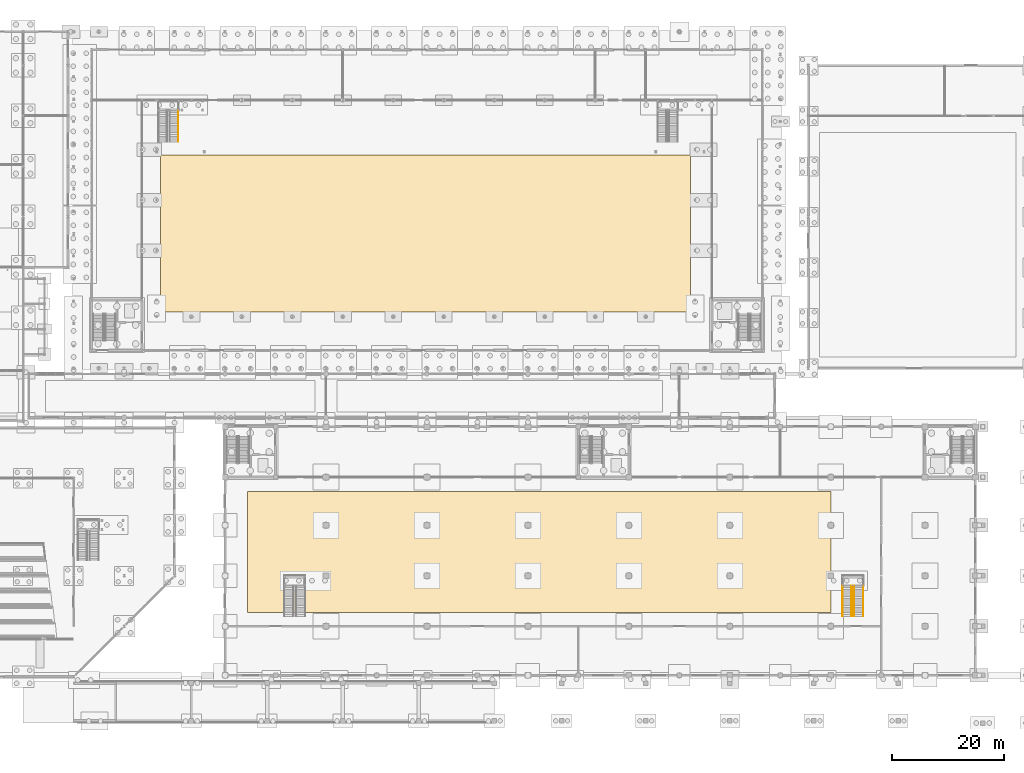
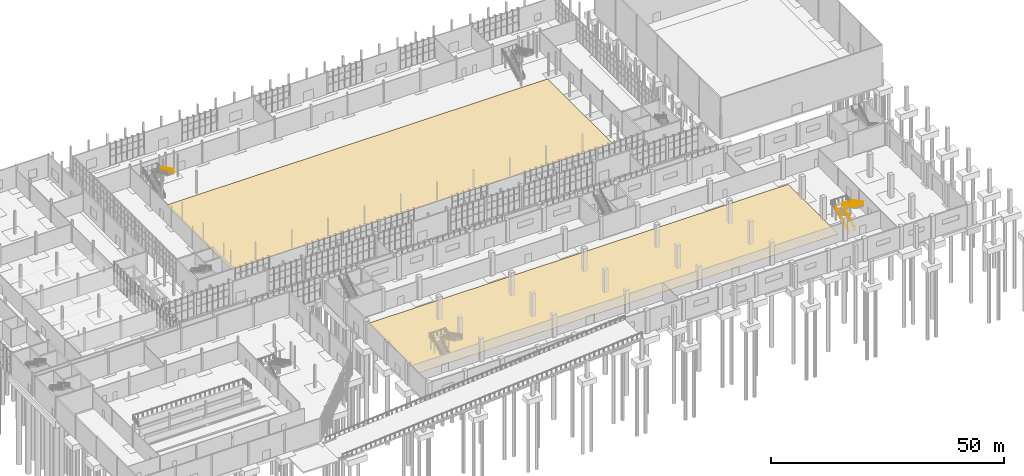
# One storey, part 125 of 131: 5 railings, 2 coverings.
"""IFC4 building model written with IfcOpenShell, lengths in metres."""

from ifc_helpers import new_model, si_unit, direction, frame, origin, origin_2d, place, context, subcontext, project, spatial, polyline, circle, outline, extrude, material, layer, layer_set, type_object, element, save


model = new_model("IFC4")

# Units and contexts
model_context = context("Model", 3, precision=1e-05, world=origin(), true_north=direction((0.0, 1.0)))
body_context = subcontext(model_context, "Body", "Model", "MODEL_VIEW")
ifc_project = project(units=[si_unit("LENGTHUNIT", "METRE"), si_unit("AREAUNIT", "SQUARE_METRE"), si_unit("VOLUMEUNIT", "CUBIC_METRE"), si_unit("PLANEANGLEUNIT", "RADIAN"), si_unit("MASSUNIT", "GRAM", prefix="KILO")], contexts=[model_context])

# Site, building, storey
site_placement = place(None, origin())
site = spatial("IfcSite", under=ifc_project, at=site_placement, CompositionType="ELEMENT")
building_placement = place(site_placement, origin())
building = spatial("IfcBuilding", under=site, at=building_placement, Name="Cazmaro Siding Exhibition Halls", CompositionType="ELEMENT")
storey_placement = place(building_placement, origin())
storey = spatial("IfcBuildingStorey", under=building, at=storey_placement, Name="L00", CompositionType="ELEMENT", Elevation=0.0)

# Coverings
ifc_material_1 = material(Name="Recycled Rubber Exhibition Hall Acoustic Flooring", Category="concrete")
ifc_layer = layer(ifc_material_1, 0.02001953125)
ifc_layer_set = layer_set([ifc_layer], Name="Recycled Rubber Exhibition Hall Acoustic Flooring")
covering_type = type_object("IfcCoveringType", Name="COV-FLR-01", PredefinedType="FLOORING", material=ifc_layer_set)
covering_1_placement = place(storey_placement, origin())
element("IfcCovering", 1, at=covering_1_placement, inside=storey, type_object=covering_type, Name="Recycled Rubber Exhibition Flooring 001", PredefinedType="FLOORING", context=body_context, shape_type="SweptSolid", body=[
    extrude(outline(polyline([(60.5, 74.0), (155.0, 74.0), (155.0, 102.0), (60.5, 102.0), (60.5, 74.0)])), origin(), (0.0, 0.0, 1.0), 0.02001953125),
])
covering_2_placement = place(storey_placement, origin())
element("IfcCovering", 2, at=covering_2_placement, inside=storey, type_object=covering_type, Name="Recycled Rubber Exhibition Flooring 002", PredefinedType="FLOORING", context=body_context, shape_type="SweptSolid", body=[
    extrude(outline(polyline([(76.0, 20.5), (180.0, 20.5), (180.0, 42.0), (76.0, 42.0), (76.0, 20.5)])), origin(), (0.0, 0.0, 1.0), 0.02001953125),
])

# Railings
ifc_material_2 = material(Name="Brushed Stainless Steel Tubular Handrail", Category="steel")
railing_type = type_object("IfcRailingType", Name="RL-HR-01", PredefinedType="HANDRAIL", material=ifc_material_2)
railing_1_placement = place(storey_placement, frame((63.659912109375, 109.905029296875, 3.1669921875)))
element("IfcRailing", 3, at=railing_1_placement, inside=storey, type_object=railing_type, Name="ST-22 Flight 2 Handrail 2", PredefinedType="HANDRAIL", context=body_context, shape_type="SweptSolid", body=[
    extrude(circle(Radius=0.02392578125, at=origin_2d()), frame((0.0, 0.0, 0.89599609375), z_axis=(0.0, -0.88984366082, 0.45626555787), x_axis=(1.0, 0.0, 0.0)), (0.0, 0.0, 1.0), 6.209228515625),
    extrude(circle(Radius=0.02099609375, at=origin_2d()), origin(), (0.0, 0.0, 1.0), 0.871826171875),
    extrude(circle(Radius=0.02099609375, at=origin_2d()), frame((0.0, -0.9208984375, 0.47216796875)), (0.0, 0.0, 1.0), 0.871826171875),
    extrude(circle(Radius=0.02099609375, at=origin_2d()), frame((0.0, -1.841796875, 0.9443359375)), (0.0, 0.0, 1.0), 0.871826171875),
    extrude(circle(Radius=0.02099609375, at=origin_2d()), frame((0.0, -2.7626953125, 1.41650390625)), (0.0, 0.0, 1.0), 0.871826171875),
    extrude(circle(Radius=0.02099609375, at=origin_2d()), frame((0.0, -3.683349609375, 1.888671875)), (0.0, 0.0, 1.0), 0.871826171875),
    extrude(circle(Radius=0.02099609375, at=origin_2d()), frame((0.0, -4.604248046875, 2.36083984375)), (0.0, 0.0, 1.0), 0.871826171875),
    extrude(circle(Radius=0.02099609375, at=origin_2d()), frame((0.0, -5.525146484375, 2.8330078125)), (0.0, 0.0, 1.0), 0.871826171875),
])
railing_2_placement = place(storey_placement, frame((182.06005859375, 19.780029296875, 0.1669921875)))
element("IfcRailing", 4, at=railing_2_placement, inside=storey, type_object=railing_type, Name="ST-29 Flight 1 Handrail 1", PredefinedType="HANDRAIL", context=body_context, shape_type="SweptSolid", body=[
    extrude(circle(Radius=0.02392578125, at=origin_2d()), frame((0.0, 0.0, 0.89599609375), z_axis=(0.0, 0.886933788778, 0.461896584013), x_axis=(-1.0, 0.0, 0.0)), (0.0, 0.0, 1.0), 6.133544921875),
    extrude(circle(Radius=0.02099609375, at=origin_2d()), origin(), (0.0, 0.0, 1.0), 0.871826171875),
    extrude(circle(Radius=0.02099609375, at=origin_2d()), frame((0.0, 0.90673828125, 0.47216796875)), (0.0, 0.0, 1.0), 0.871826171875),
    extrude(circle(Radius=0.02099609375, at=origin_2d()), frame((0.0, 1.813232421875, 0.9443359375)), (0.0, 0.0, 1.0), 0.871826171875),
    extrude(circle(Radius=0.02099609375, at=origin_2d()), frame((0.0, 2.719970703125, 1.41650390625)), (0.0, 0.0, 1.0), 0.871826171875),
    extrude(circle(Radius=0.02099609375, at=origin_2d()), frame((0.0, 3.626708984375, 1.888671875)), (0.0, 0.0, 1.0), 0.871826171875),
    extrude(circle(Radius=0.02099609375, at=origin_2d()), frame((0.0, 4.533203125, 2.36083984375)), (0.0, 0.0, 1.0), 0.871826171875),
    extrude(circle(Radius=0.02099609375, at=origin_2d()), frame((0.0, 5.43994140625, 2.8330078125)), (0.0, 0.0, 1.0), 0.871826171875),
])
railing_3_placement = place(storey_placement, frame((184.14990234375, 25.219970703125, 3.1669921875)))
element("IfcRailing", 5, at=railing_3_placement, inside=storey, type_object=railing_type, Name="ST-29 Flight 2 Handrail 1", PredefinedType="HANDRAIL", context=body_context, shape_type="SweptSolid", body=[
    extrude(circle(Radius=0.02392578125, at=origin_2d()), frame((0.0, 0.0, 0.89599609375), z_axis=(0.0, -0.886933788778, 0.461896584013), x_axis=(1.0, 0.0, 0.0)), (0.0, 0.0, 1.0), 6.133544921875),
    extrude(circle(Radius=0.02099609375, at=origin_2d()), origin(), (0.0, 0.0, 1.0), 0.871826171875),
    extrude(circle(Radius=0.02099609375, at=origin_2d()), frame((0.0, -0.90673828125, 0.47216796875)), (0.0, 0.0, 1.0), 0.871826171875),
    extrude(circle(Radius=0.02099609375, at=origin_2d()), frame((0.0, -1.813232421875, 0.9443359375)), (0.0, 0.0, 1.0), 0.871826171875),
    extrude(circle(Radius=0.02099609375, at=origin_2d()), frame((0.0, -2.719970703125, 1.41650390625)), (0.0, 0.0, 1.0), 0.871826171875),
    extrude(circle(Radius=0.02099609375, at=origin_2d()), frame((0.0, -3.626708984375, 1.888671875)), (0.0, 0.0, 1.0), 0.871826171875),
    extrude(circle(Radius=0.02099609375, at=origin_2d()), frame((0.0, -4.533203125, 2.36083984375)), (0.0, 0.0, 1.0), 0.871826171875),
    extrude(circle(Radius=0.02099609375, at=origin_2d()), frame((0.0, -5.43994140625, 2.8330078125)), (0.0, 0.0, 1.0), 0.871826171875),
])
railing_4_placement = place(storey_placement, frame((183.699951171875, 19.780029296875, 0.1669921875)))
element("IfcRailing", 6, at=railing_4_placement, inside=storey, type_object=railing_type, Name="ST-29 Flight 1 Handrail 2", PredefinedType="HANDRAIL", context=body_context, shape_type="SweptSolid", body=[
    extrude(circle(Radius=0.02392578125, at=origin_2d()), frame((0.0, 0.0, 0.89599609375), z_axis=(0.0, 0.886933788778, 0.461896584013), x_axis=(-1.0, 0.0, 0.0)), (0.0, 0.0, 1.0), 6.133544921875),
    extrude(circle(Radius=0.02099609375, at=origin_2d()), origin(), (0.0, 0.0, 1.0), 0.871826171875),
    extrude(circle(Radius=0.02099609375, at=origin_2d()), frame((0.0, 0.90673828125, 0.47216796875)), (0.0, 0.0, 1.0), 0.871826171875),
    extrude(circle(Radius=0.02099609375, at=origin_2d()), frame((0.0, 1.813232421875, 0.9443359375)), (0.0, 0.0, 1.0), 0.871826171875),
    extrude(circle(Radius=0.02099609375, at=origin_2d()), frame((0.0, 2.719970703125, 1.41650390625)), (0.0, 0.0, 1.0), 0.871826171875),
    extrude(circle(Radius=0.02099609375, at=origin_2d()), frame((0.0, 3.626708984375, 1.888671875)), (0.0, 0.0, 1.0), 0.871826171875),
    extrude(circle(Radius=0.02099609375, at=origin_2d()), frame((0.0, 4.533203125, 2.36083984375)), (0.0, 0.0, 1.0), 0.871826171875),
    extrude(circle(Radius=0.02099609375, at=origin_2d()), frame((0.0, 5.43994140625, 2.8330078125)), (0.0, 0.0, 1.0), 0.871826171875),
])
railing_5_placement = place(storey_placement, frame((185.7900390625, 25.219970703125, 3.1669921875)))
element("IfcRailing", 7, at=railing_5_placement, inside=storey, type_object=railing_type, Name="ST-29 Flight 2 Handrail 2", PredefinedType="HANDRAIL", context=body_context, shape_type="SweptSolid", body=[
    extrude(circle(Radius=0.02392578125, at=origin_2d()), frame((0.0, 0.0, 0.89599609375), z_axis=(0.0, -0.886933788778, 0.461896584013), x_axis=(1.0, 0.0, 0.0)), (0.0, 0.0, 1.0), 6.133544921875),
    extrude(circle(Radius=0.02099609375, at=origin_2d()), origin(), (0.0, 0.0, 1.0), 0.871826171875),
    extrude(circle(Radius=0.02099609375, at=origin_2d()), frame((0.0, -0.90673828125, 0.47216796875)), (0.0, 0.0, 1.0), 0.871826171875),
    extrude(circle(Radius=0.02099609375, at=origin_2d()), frame((0.0, -1.813232421875, 0.9443359375)), (0.0, 0.0, 1.0), 0.871826171875),
    extrude(circle(Radius=0.02099609375, at=origin_2d()), frame((0.0, -2.719970703125, 1.41650390625)), (0.0, 0.0, 1.0), 0.871826171875),
    extrude(circle(Radius=0.02099609375, at=origin_2d()), frame((0.0, -3.626708984375, 1.888671875)), (0.0, 0.0, 1.0), 0.871826171875),
    extrude(circle(Radius=0.02099609375, at=origin_2d()), frame((0.0, -4.533203125, 2.36083984375)), (0.0, 0.0, 1.0), 0.871826171875),
    extrude(circle(Radius=0.02099609375, at=origin_2d()), frame((0.0, -5.43994140625, 2.8330078125)), (0.0, 0.0, 1.0), 0.871826171875),
])

save(model, "model.ifc")
